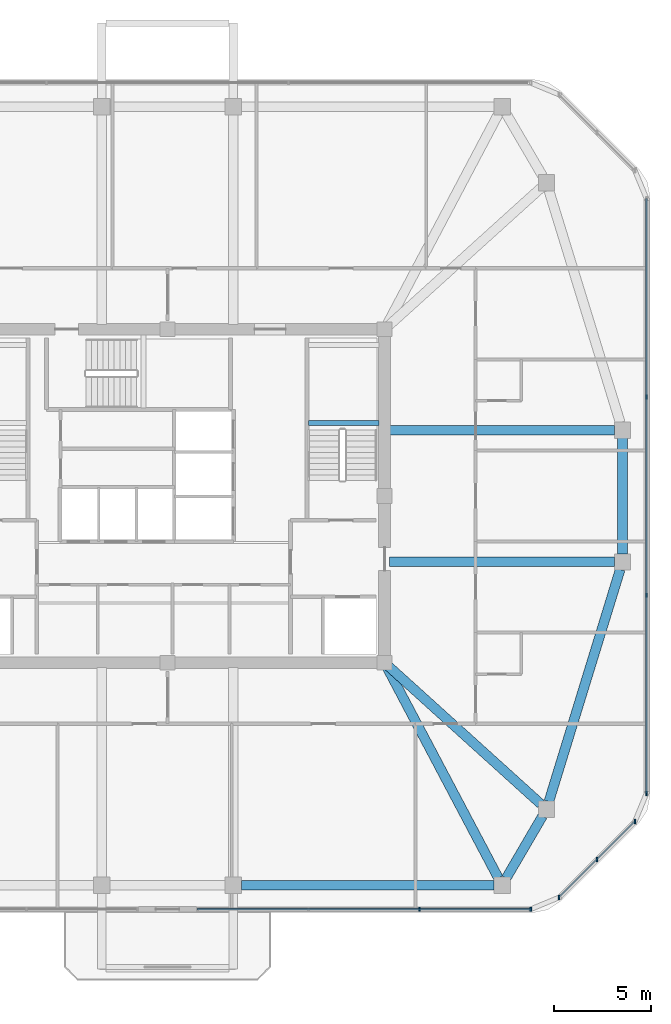
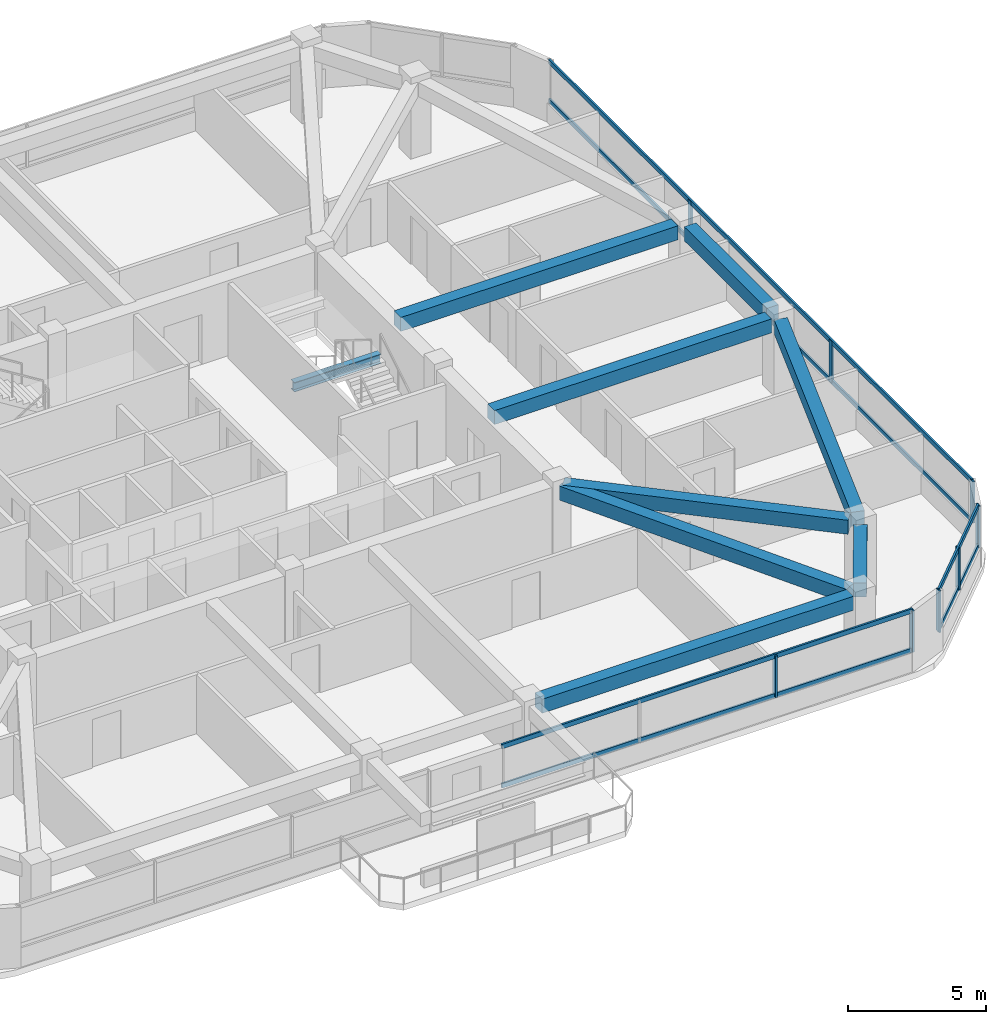
# One storey, part 3 of 13: 14 members, 9 beams, 3 elements without a shape of their own.
"""IFC4 building model written with IfcOpenShell, lengths in metres."""

from ifc_helpers import new_model, si_unit, derived_unit, direction, frame, origin, origin_2d, place, context, subcontext, project, spatial, rectangle, i_section, extrude, material, material_profile, profile_set, type_object, element, aggregate, save


model = new_model("IFC4")

# Units and contexts
model_context = context("Model", 3, precision=1e-05, world=origin(), true_north=direction((0.0, 1.0)))
body_context = subcontext(model_context, "Body", "Model", "MODEL_VIEW")
ifc_project = project(units=[si_unit("LENGTHUNIT", "METRE"), si_unit("AREAUNIT", "SQUARE_METRE"), si_unit("VOLUMEUNIT", "CUBIC_METRE"), si_unit("PLANEANGLEUNIT", "RADIAN"), si_unit("MASSUNIT", "GRAM", prefix="KILO"), derived_unit("THERMALTRANSMITTANCEUNIT", [(si_unit("POWERUNIT", "WATT"), 1), (si_unit("LENGTHUNIT", "METRE"), -2), (si_unit("THERMODYNAMICTEMPERATUREUNIT", "KELVIN"), -1)])], contexts=[model_context])

# Site, building, storey
site_placement = place(None, origin())
site = spatial("IfcSite", under=ifc_project, at=site_placement, CompositionType="ELEMENT")
building_placement = place(site_placement, origin())
building = spatial("IfcBuilding", under=site, at=building_placement, Name="Koralith Skygarden Medical Center", CompositionType="ELEMENT")
storey_placement = place(building_placement, frame((0.0, 0.0, 264.419921875)))
storey = spatial("IfcBuildingStorey", under=building, at=storey_placement, Name="L68", CompositionType="ELEMENT", Elevation=264.419921875)

# Curtain wall, members
ifc_material_1 = material(Name="Clear Laminated Glass", Category="glass")
curtain_wall_type = type_object("IfcCurtainWallType", Name="CW-6 Zone 5 Upper Clinical Curtain Wall", PredefinedType="NOTDEFINED", material=ifc_material_1)
curtain_wall_1_placement = place(storey_placement, origin())
curtain_wall_1 = element("IfcCurtainWall", 1, at=curtain_wall_1_placement, inside=storey, type_object=curtain_wall_type, Name="Curtain Wall CW-L68-S-R", PredefinedType="NOTDEFINED")
ifc_material_2 = material(Name="Aluminium 6063-T6", Category="aluminium")
ifc_material_profile_1 = material_profile(ifc_material_2, rectangle(XDim=0.0830078125, YDim=0.219970703125, at=origin_2d()), Name="MUL83X220")
ifc_profile_set_1 = profile_set([ifc_material_profile_1], Name="Aluminium 6063-T6")
member_type_1 = type_object("IfcMemberType", Name="CW-6 Extruded Mullion 83x220", PredefinedType="MULLION", material=ifc_profile_set_1)
member_1_placement = place(storey_placement, frame((50.010009765625, 4.580078125, 0.85009765625), z_axis=(0.0, 0.0, 1.0), x_axis=(1.0, 0.0, 0.0)))
member_1 = element("IfcMember", 2, at=member_1_placement, type_object=member_type_1, Name="CW-L68-S-R Mullion 3", PredefinedType="MULLION", context=body_context, shape_type="SweptSolid", body=[
    extrude(rectangle(XDim=0.0830078125, YDim=0.219970703125, at=origin_2d()), origin(), (0.0, 0.0, 1.0), 1.840087890625),
])
member_2_placement = place(storey_placement, frame((55.7451171875, 4.580078125, 0.85009765625), z_axis=(0.0, 0.0, 1.0), x_axis=(1.0, 0.0, 0.0)))
member_2 = element("IfcMember", 3, at=member_2_placement, type_object=member_type_1, Name="CW-L68-S-R Mullion 4", PredefinedType="MULLION", context=body_context, shape_type="SweptSolid", body=[
    extrude(rectangle(XDim=0.0830078125, YDim=0.219970703125, at=origin_2d()), origin(), (0.0, 0.0, 1.0), 1.840087890625),
])

curtain_wall_2_placement = place(storey_placement, origin())
curtain_wall_2 = element("IfcCurtainWall", 4, at=curtain_wall_2_placement, inside=storey, type_object=curtain_wall_type, Name="Curtain Wall CW-L68-SE", PredefinedType="NOTDEFINED")
member_3_placement = place(storey_placement, frame((57.196044921875, 5.180908203125, 0.85009765625), z_axis=(0.0, 0.0, 1.0), x_axis=(1.0, 0.0, 0.0)))
member_3 = element("IfcMember", 5, at=member_3_placement, type_object=member_type_1, Name="CW-L68-SE Mullion 1", PredefinedType="MULLION", context=body_context, shape_type="SweptSolid", body=[
    extrude(rectangle(XDim=0.0830078125, YDim=0.219970703125, at=origin_2d()), origin(), (0.0, 0.0, 1.0), 1.840087890625),
])
member_4_placement = place(storey_placement, frame((59.156982421875, 7.14306640625, 0.85009765625), z_axis=(0.0, 0.0, 1.0), x_axis=(1.0, 0.0, 0.0)))
member_4 = element("IfcMember", 6, at=member_4_placement, type_object=member_type_1, Name="CW-L68-SE Mullion 2", PredefinedType="MULLION", context=body_context, shape_type="SweptSolid", body=[
    extrude(rectangle(XDim=0.0830078125, YDim=0.219970703125, at=origin_2d()), origin(), (0.0, 0.0, 1.0), 1.840087890625),
])
member_5_placement = place(storey_placement, frame((61.118896484375, 9.10400390625, 0.85009765625), z_axis=(0.0, 0.0, 1.0), x_axis=(1.0, 0.0, 0.0)))
member_5 = element("IfcMember", 7, at=member_5_placement, type_object=member_type_1, Name="CW-L68-SE Mullion 3", PredefinedType="MULLION", context=body_context, shape_type="SweptSolid", body=[
    extrude(rectangle(XDim=0.0830078125, YDim=0.219970703125, at=origin_2d()), origin(), (0.0, 0.0, 1.0), 1.840087890625),
])

curtain_wall_3_placement = place(storey_placement, origin())
curtain_wall_3 = element("IfcCurtainWall", 8, at=curtain_wall_3_placement, inside=storey, type_object=curtain_wall_type, Name="Curtain Wall CW-L68-E", PredefinedType="NOTDEFINED")
member_6_placement = place(storey_placement, frame((61.719970703125, 10.554931640625, 0.85009765625), z_axis=(0.0, 0.0, 1.0), x_axis=(1.0, 0.0, 0.0)))
member_6 = element("IfcMember", 9, at=member_6_placement, type_object=member_type_1, Name="CW-L68-E Mullion 1", PredefinedType="MULLION", context=body_context, shape_type="SweptSolid", body=[
    extrude(rectangle(XDim=0.0830078125, YDim=0.219970703125, at=origin_2d()), origin(), (0.0, 0.0, 1.0), 1.840087890625),
])
member_7_placement = place(storey_placement, frame((61.719970703125, 20.784912109375, 0.85009765625), z_axis=(0.0, 0.0, 1.0), x_axis=(1.0, 0.0, 0.0)))
member_7 = element("IfcMember", 10, at=member_7_placement, type_object=member_type_1, Name="CW-L68-E Mullion 2", PredefinedType="MULLION", context=body_context, shape_type="SweptSolid", body=[
    extrude(rectangle(XDim=0.0830078125, YDim=0.219970703125, at=origin_2d()), origin(), (0.0, 0.0, 1.0), 1.840087890625),
])
member_8_placement = place(storey_placement, frame((61.719970703125, 31.014892578125, 0.85009765625), z_axis=(0.0, 0.0, 1.0), x_axis=(1.0, 0.0, 0.0)))
member_8 = element("IfcMember", 11, at=member_8_placement, type_object=member_type_1, Name="CW-L68-E Mullion 3", PredefinedType="MULLION", context=body_context, shape_type="SweptSolid", body=[
    extrude(rectangle(XDim=0.0830078125, YDim=0.219970703125, at=origin_2d()), origin(), (0.0, 0.0, 1.0), 1.840087890625),
])

# Member
ifc_material_profile_2 = material_profile(ifc_material_2, rectangle(XDim=0.077880859375, YDim=0.197998046875, at=origin_2d()), Name="TRN78X198")
ifc_profile_set_2 = profile_set([ifc_material_profile_2], Name="Aluminium 6063-T6")
member_type_2 = type_object("IfcMemberType", Name="CW-6 Thermal Transom 78x198", PredefinedType="USERDEFINED", material=ifc_profile_set_2)
member_9_placement = place(storey_placement, frame((38.5390625, 4.580078125, 0.900146484375), z_axis=(1.0, 0.0, 0.0), x_axis=(0.0, 1.0, 0.0)))
member_9 = element("IfcMember", 12, at=member_9_placement, type_object=member_type_2, Name="CW-L68-S-R Transom 1", ObjectType="TRANSOM", PredefinedType="USERDEFINED", context=body_context, shape_type="SweptSolid", body=[
    extrude(rectangle(XDim=0.077880859375, YDim=0.197998046875, at=origin_2d()), origin(), (0.0, 0.0, 1.0), 17.2060546875),
])

member_10_placement = place(storey_placement, frame((38.5390625, 4.580078125, 2.64013671875), z_axis=(1.0, 0.0, 0.0), x_axis=(0.0, 1.0, 0.0)))
member_10 = element("IfcMember", 13, at=member_10_placement, type_object=member_type_2, Name="CW-L68-S-R Transom 2", ObjectType="TRANSOM", PredefinedType="USERDEFINED", context=body_context, shape_type="SweptSolid", body=[
    extrude(rectangle(XDim=0.077880859375, YDim=0.197998046875, at=origin_2d()), origin(), (0.0, 0.0, 1.0), 17.2060546875),
])

aggregate(curtain_wall_1, [member_1, member_2, member_9, member_10])

member_11_placement = place(storey_placement, frame((57.196044921875, 5.180908203125, 0.900146484375), z_axis=(0.707084777957, 0.707128783731, 0.0), x_axis=(-0.707128783731, 0.707084777957, 0.0)))
member_11 = element("IfcMember", 14, at=member_11_placement, type_object=member_type_2, Name="CW-L68-SE Transom 1", ObjectType="TRANSOM", PredefinedType="USERDEFINED", context=body_context, shape_type="SweptSolid", body=[
    extrude(rectangle(XDim=0.077880859375, YDim=0.197998046875, at=origin_2d()), origin(), (0.0, 0.0, 1.0), 5.5478515625),
])

member_12_placement = place(storey_placement, frame((57.196044921875, 5.180908203125, 2.64013671875), z_axis=(0.707084777957, 0.707128783731, 0.0), x_axis=(-0.707128783731, 0.707084777957, 0.0)))
member_12 = element("IfcMember", 15, at=member_12_placement, type_object=member_type_2, Name="CW-L68-SE Transom 2", ObjectType="TRANSOM", PredefinedType="USERDEFINED", context=body_context, shape_type="SweptSolid", body=[
    extrude(rectangle(XDim=0.077880859375, YDim=0.197998046875, at=origin_2d()), origin(), (0.0, 0.0, 1.0), 5.5478515625),
])

aggregate(curtain_wall_2, [member_3, member_4, member_5, member_11, member_12])

member_13_placement = place(storey_placement, frame((61.719970703125, 10.554931640625, 0.900146484375), z_axis=(0.0, 1.0, 0.0), x_axis=(-1.0, 0.0, 0.0)))
member_13 = element("IfcMember", 16, at=member_13_placement, type_object=member_type_2, Name="CW-L68-E Transom 1", ObjectType="TRANSOM", PredefinedType="USERDEFINED", context=body_context, shape_type="SweptSolid", body=[
    extrude(rectangle(XDim=0.077880859375, YDim=0.197998046875, at=origin_2d()), origin(), (0.0, 0.0, 1.0), 30.690185546875),
])

member_14_placement = place(storey_placement, frame((61.719970703125, 10.554931640625, 2.64013671875), z_axis=(0.0, 1.0, 0.0), x_axis=(-1.0, 0.0, 0.0)))
member_14 = element("IfcMember", 17, at=member_14_placement, type_object=member_type_2, Name="CW-L68-E Transom 2", ObjectType="TRANSOM", PredefinedType="USERDEFINED", context=body_context, shape_type="SweptSolid", body=[
    extrude(rectangle(XDim=0.077880859375, YDim=0.197998046875, at=origin_2d()), origin(), (0.0, 0.0, 1.0), 30.690185546875),
])

aggregate(curtain_wall_3, [member_6, member_7, member_8, member_13, member_14])

# Beams
ifc_material_3 = material(Name="Steel ASTM A992 Grade 50", Category="steel")
ifc_material_profile_3 = material_profile(ifc_material_3, i_section(OverallWidth=0.260009765625, OverallDepth=0.4150390625, WebThickness=0.010009765625, FlangeThickness=0.016845703125, at=origin_2d()), Name="W16X67")
ifc_profile_set_3 = profile_set([ifc_material_profile_3], Name="Steel ASTM A992 Grade 50")
beam_type_1 = type_object("IfcBeamType", Name="Clinical Floor Joist W16X67", PredefinedType="JOIST", material=ifc_profile_set_3)
beam_1_placement = place(storey_placement, frame((44.280029296875, 29.659912109375, 1.39306640625), z_axis=(1.0, 0.0, 0.0), x_axis=(0.0, 1.0, 0.0)))
element("IfcBeam", 18, at=beam_1_placement, inside=storey, type_object=beam_type_1, Name="L68 Stair ST2 Half-Landing Support Beam 1A", PredefinedType="JOIST", context=body_context, shape_type="SweptSolid", body=[
    extrude(i_section(OverallWidth=0.260009765625, OverallDepth=0.4150390625, WebThickness=0.010009765625, FlangeThickness=0.016845703125, at=origin_2d()), origin(), (0.0, 0.0, 1.0), 3.639892578125),
])
ifc_material_4 = material(Name="Concrete C45/55", Category="concrete")
ifc_material_profile_4 = material_profile(ifc_material_4, rectangle(XDim=0.5, YDim=0.6201171875, at=origin_2d()), Name="RCB500X620")
ifc_profile_set_4 = profile_set([ifc_material_profile_4], Name="Concrete C45/55")
beam_type_2 = type_object("IfcBeamType", Name="Upper Radial Collector Beam RCB500X620", PredefinedType="BEAM", material=ifc_profile_set_4)
beam_2_placement = place(storey_placement, frame((48.31689453125, 17.0791015625, 3.010009765625), z_axis=(0.46724871287, -0.884125918816, 0.0), x_axis=(0.884125918816, 0.46724871287, 0.0)))
element("IfcBeam", 19, at=beam_2_placement, inside=storey, type_object=beam_type_2, Name="L68 Radial Collector Beam RB-06", PredefinedType="BEAM", context=body_context, shape_type="SweptSolid", body=[
    extrude(rectangle(XDim=0.5, YDim=0.6201171875, at=origin_2d()), origin(), (0.0, 0.0, 1.0), 12.325439453125),
])
beam_3_placement = place(storey_placement, frame((48.385009765625, 17.132080078125, 3.010009765625), z_axis=(0.741736323186, -0.670691603397, 0.0), x_axis=(0.670691603397, 0.741736323186, 0.0)))
element("IfcBeam", 20, at=beam_3_placement, inside=storey, type_object=beam_type_2, Name="L68 Radial Collector Beam RB-07", PredefinedType="BEAM", context=body_context, shape_type="SweptSolid", body=[
    extrude(rectangle(XDim=0.5, YDim=0.6201171875, at=origin_2d()), origin(), (0.0, 0.0, 1.0), 10.61181640625),
])
for number, where, z_axis, x_axis, name in (
    (21, (48.449951171875, 22.5, 3.010009765625), (1.0, 0.0, 0.0), (0.0, 1.0, 0.0), "L68 Radial Collector Beam RB-08"),
    (22, (48.449951171875, 29.300048828125, 3.010009765625), (1.0, 0.0, 0.0), (0.0, 1.0, 0.0), "L68 Radial Collector Beam RB-09"),
):
    element("IfcBeam", number, at=place(storey_placement, frame(where, z_axis=z_axis, x_axis=x_axis)), inside=storey, type_object=beam_type_2, Name=name, PredefinedType="BEAM", context=body_context, shape_type="SweptSolid", body=[
        extrude(rectangle(XDim=0.5, YDim=0.6201171875, at=origin_2d()), origin(), (0.0, 0.0, 1.0), 11.6201171875),
    ])
ifc_material_profile_5 = material_profile(ifc_material_4, rectangle(XDim=0.5, YDim=0.6201171875, at=origin_2d()), Name="RCB500X620")
ifc_profile_set_5 = profile_set([ifc_material_profile_5], Name="Concrete C45/55")
beam_type_3 = type_object("IfcBeamType", Name="Zone 4-5 Spandrel Beam RCB500X620", PredefinedType="SPANDREL", material=ifc_profile_set_5)
beam_4_placement = place(storey_placement, frame((40.81005859375, 5.820068359375, 3.010009765625), z_axis=(1.0, 0.0, 0.0), x_axis=(0.0, 1.0, 0.0)))
element("IfcBeam", 23, at=beam_4_placement, inside=storey, type_object=beam_type_3, Name="L68 Perimeter Spandrel Beam SP-05", PredefinedType="SPANDREL", context=body_context, shape_type="SweptSolid", body=[
    extrude(rectangle(XDim=0.5, YDim=0.6201171875, at=origin_2d()), origin(), (0.0, 0.0, 1.0), 13.0478515625),
])
beam_5_placement = place(storey_placement, frame((54.47509765625, 6.174072265625, 3.010009765625), z_axis=(0.50473571007, 0.863273921175, 0.0), x_axis=(-0.863273921175, 0.50473571007, 0.0)))
element("IfcBeam", 24, at=beam_5_placement, inside=storey, type_object=beam_type_3, Name="L68 Perimeter Spandrel Beam SP-06", PredefinedType="SPANDREL", context=body_context, shape_type="SweptSolid", body=[
    extrude(rectangle(XDim=0.5, YDim=0.6201171875, at=origin_2d()), origin(), (0.0, 0.0, 1.0), 3.720703125),
])
beam_6_placement = place(storey_placement, frame((56.679931640625, 10.132080078125, 3.010009765625), z_axis=(0.293743494914, 0.955884281279, 0.0), x_axis=(-0.955884281279, 0.293743494914, 0.0)))
element("IfcBeam", 25, at=beam_6_placement, inside=storey, type_object=beam_type_3, Name="L68 Perimeter Spandrel Beam SP-07", PredefinedType="SPANDREL", context=body_context, shape_type="SweptSolid", body=[
    extrude(rectangle(XDim=0.5, YDim=0.6201171875, at=origin_2d()), origin(), (0.0, 0.0, 1.0), 12.528564453125),
])
beam_7_placement = place(storey_placement, frame((60.47998046875, 22.909912109375, 3.010009765625), z_axis=(0.0, 1.0, 0.0), x_axis=(-1.0, 0.0, 0.0)))
element("IfcBeam", 26, at=beam_7_placement, inside=storey, type_object=beam_type_3, Name="L68 Perimeter Spandrel Beam SP-08", PredefinedType="SPANDREL", context=body_context, shape_type="SweptSolid", body=[
    extrude(rectangle(XDim=0.5, YDim=0.6201171875, at=origin_2d()), origin(), (0.0, 0.0, 1.0), 5.97998046875),
])

save(model, "model.ifc")
